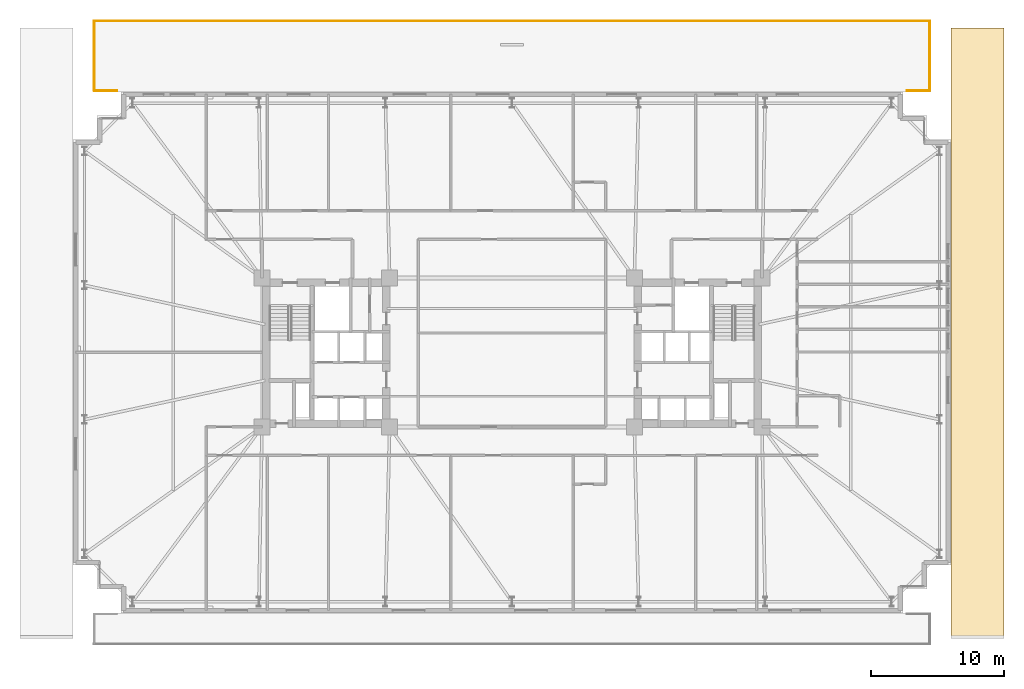
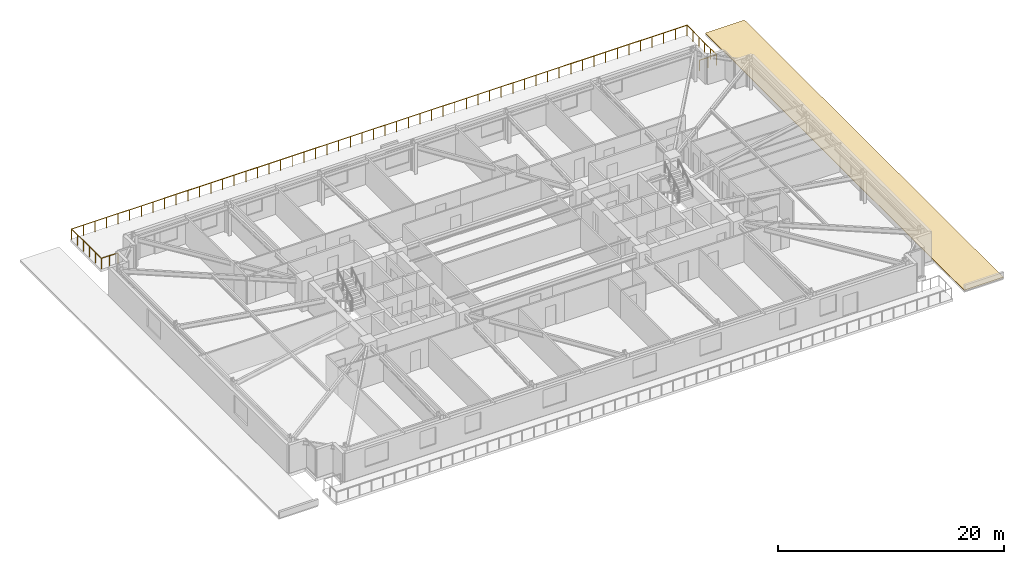
# One storey, part 21 of 21: 2 railings, 1 covering.
"""IFC4 building model written with IfcOpenShell, lengths in metres."""

from ifc_helpers import new_model, si_unit, direction, frame, origin, origin_2d, place, context, subcontext, project, spatial, polyline, circle, outline, extrude, material, layer, layer_set, type_object, element, save


model = new_model("IFC4")

# Units and contexts
model_context = context("Model", 3, precision=1e-05, world=origin(), true_north=direction((0.0, 1.0)))
body_context = subcontext(model_context, "Body", "Model", "MODEL_VIEW")
ifc_project = project(units=[si_unit("LENGTHUNIT", "METRE"), si_unit("AREAUNIT", "SQUARE_METRE"), si_unit("VOLUMEUNIT", "CUBIC_METRE"), si_unit("PLANEANGLEUNIT", "RADIAN"), si_unit("MASSUNIT", "GRAM", prefix="KILO")], contexts=[model_context])

# Site, building, storey
site_placement = place(None, origin())
site = spatial("IfcSite", under=ifc_project, at=site_placement, CompositionType="ELEMENT")
building_placement = place(site_placement, origin())
building = spatial("IfcBuilding", under=site, at=building_placement, Name="Qobustan Lattice House", CompositionType="ELEMENT")
storey_placement = place(building_placement, frame((0.0, 0.0, 27.0)))
storey = spatial("IfcBuildingStorey", under=building, at=storey_placement, Name="L06", CompositionType="ELEMENT", Elevation=27.0)

# Covering
ifc_material_1 = material(Name="Insulated stone-ballasted roof membrane", Category="masonry")
ifc_layer = layer(ifc_material_1, 0.050048828125)
ifc_layer_set = layer_set([ifc_layer], Name="Insulated stone-ballasted roof membrane")
covering_type = type_object("IfcCoveringType", Name="COV-ROOF-MEMB", PredefinedType="ROOFING", material=ifc_layer_set)
covering_placement = place(storey_placement, origin())
element("IfcCovering", 1, at=covering_placement, inside=storey, type_object=covering_type, Name="L06 setback roof membrane 2", PredefinedType="ROOFING", context=body_context, shape_type="SweptSolid", body=[
    extrude(outline(polyline([(33.0, -21.39990234375), (37.0, -21.39990234375), (37.0, 24.39990234375), (33.0, 24.39990234375), (33.0, -21.39990234375)])), origin(), (0.0, 0.0, 1.0), 0.050048828125),
])

# Railings
ifc_material_2 = material(Name="Anodised bronze and laminated glass balustrade", Category="glass")
railing_type = type_object("IfcRailingType", Name="RAL-TERR-1150", PredefinedType="BALUSTRADE", material=ifc_material_2)
railing_1_placement = place(storey_placement, frame((-31.419921875, 19.679931640625, 0.0)))
element("IfcRailing", 2, at=railing_1_placement, inside=storey, type_object=railing_type, Name="L06 outdoor terrace balustrade 3", PredefinedType="BALUSTRADE", context=body_context, shape_type="SweptSolid", body=[
    extrude(circle(Radius=0.02392578125, at=origin_2d()), frame((0.0, 0.0, 1.1259765625), z_axis=(0.0, 1.0, 0.0), x_axis=(-1.0, 0.0, 0.0)), (0.0, 0.0, 1.0), 5.239990234375),
    extrude(circle(Radius=0.02392578125, at=origin_2d()), frame((0.0, 5.239990234375, 1.1259765625), z_axis=(1.0, 0.0, 0.0), x_axis=(0.0, 1.0, 0.0)), (0.0, 0.0, 1.0), 62.83984375),
    extrude(circle(Radius=0.02392578125, at=origin_2d()), frame((62.83984375, 5.239990234375, 1.1259765625), z_axis=(0.0, -1.0, 0.0), x_axis=(1.0, 0.0, 0.0)), (0.0, 0.0, 1.0), 5.239990234375),
    extrude(circle(Radius=0.02392578125, at=origin_2d()), frame((62.83984375, 0.0, 1.1259765625), z_axis=(-1.0, 0.0, 0.0), x_axis=(0.0, -1.0, 0.0)), (0.0, 0.0, 1.0), 1.719970703125),
    extrude(circle(Radius=0.02099609375, at=origin_2d()), origin(), (0.0, 0.0, 1.0), 1.101806640625),
    extrude(circle(Radius=0.02099609375, at=origin_2d()), frame((0.0, 1.048095703125, 0.0)), (0.0, 0.0, 1.0), 1.101806640625),
    extrude(circle(Radius=0.02099609375, at=origin_2d()), frame((0.0, 2.095947265625, 0.0)), (0.0, 0.0, 1.0), 1.101806640625),
    extrude(circle(Radius=0.02099609375, at=origin_2d()), frame((0.0, 3.14404296875, 0.0)), (0.0, 0.0, 1.0), 1.101806640625),
    extrude(circle(Radius=0.02099609375, at=origin_2d()), frame((0.0, 4.19189453125, 0.0)), (0.0, 0.0, 1.0), 1.101806640625),
    extrude(circle(Radius=0.02099609375, at=origin_2d()), frame((0.0, 5.239990234375, 0.0)), (0.0, 0.0, 1.0), 1.101806640625),
    extrude(circle(Radius=0.02099609375, at=origin_2d()), frame((1.185546875, 5.239990234375, 0.0)), (0.0, 0.0, 1.0), 1.101806640625),
    extrude(circle(Radius=0.02099609375, at=origin_2d()), frame((2.371337890625, 5.239990234375, 0.0)), (0.0, 0.0, 1.0), 1.101806640625),
    extrude(circle(Radius=0.02099609375, at=origin_2d()), frame((3.556884765625, 5.239990234375, 0.0)), (0.0, 0.0, 1.0), 1.101806640625),
    extrude(circle(Radius=0.02099609375, at=origin_2d()), frame((4.74267578125, 5.239990234375, 0.0)), (0.0, 0.0, 1.0), 1.101806640625),
    extrude(circle(Radius=0.02099609375, at=origin_2d()), frame((5.92822265625, 5.239990234375, 0.0)), (0.0, 0.0, 1.0), 1.101806640625),
    extrude(circle(Radius=0.02099609375, at=origin_2d()), frame((7.114013671875, 5.239990234375, 0.0)), (0.0, 0.0, 1.0), 1.101806640625),
    extrude(circle(Radius=0.02099609375, at=origin_2d()), frame((8.299560546875, 5.239990234375, 0.0)), (0.0, 0.0, 1.0), 1.101806640625),
    extrude(circle(Radius=0.02099609375, at=origin_2d()), frame((9.4853515625, 5.239990234375, 0.0)), (0.0, 0.0, 1.0), 1.101806640625),
    extrude(circle(Radius=0.02099609375, at=origin_2d()), frame((10.6708984375, 5.239990234375, 0.0)), (0.0, 0.0, 1.0), 1.101806640625),
    extrude(circle(Radius=0.02099609375, at=origin_2d()), frame((11.856689453125, 5.239990234375, 0.0)), (0.0, 0.0, 1.0), 1.101806640625),
    extrude(circle(Radius=0.02099609375, at=origin_2d()), frame((13.042236328125, 5.239990234375, 0.0)), (0.0, 0.0, 1.0), 1.101806640625),
    extrude(circle(Radius=0.02099609375, at=origin_2d()), frame((14.227783203125, 5.239990234375, 0.0)), (0.0, 0.0, 1.0), 1.101806640625),
    extrude(circle(Radius=0.02099609375, at=origin_2d()), frame((15.41357421875, 5.239990234375, 0.0)), (0.0, 0.0, 1.0), 1.101806640625),
    extrude(circle(Radius=0.02099609375, at=origin_2d()), frame((16.59912109375, 5.239990234375, 0.0)), (0.0, 0.0, 1.0), 1.101806640625),
    extrude(circle(Radius=0.02099609375, at=origin_2d()), frame((17.784912109375, 5.239990234375, 0.0)), (0.0, 0.0, 1.0), 1.101806640625),
    extrude(circle(Radius=0.02099609375, at=origin_2d()), frame((18.970458984375, 5.239990234375, 0.0)), (0.0, 0.0, 1.0), 1.101806640625),
    extrude(circle(Radius=0.02099609375, at=origin_2d()), frame((20.15625, 5.239990234375, 0.0)), (0.0, 0.0, 1.0), 1.101806640625),
    extrude(circle(Radius=0.02099609375, at=origin_2d()), frame((21.341796875, 5.239990234375, 0.0)), (0.0, 0.0, 1.0), 1.101806640625),
    extrude(circle(Radius=0.02099609375, at=origin_2d()), frame((22.527587890625, 5.239990234375, 0.0)), (0.0, 0.0, 1.0), 1.101806640625),
    extrude(circle(Radius=0.02099609375, at=origin_2d()), frame((23.713134765625, 5.239990234375, 0.0)), (0.0, 0.0, 1.0), 1.101806640625),
    extrude(circle(Radius=0.02099609375, at=origin_2d()), frame((24.89892578125, 5.239990234375, 0.0)), (0.0, 0.0, 1.0), 1.101806640625),
    extrude(circle(Radius=0.02099609375, at=origin_2d()), frame((26.08447265625, 5.239990234375, 0.0)), (0.0, 0.0, 1.0), 1.101806640625),
    extrude(circle(Radius=0.02099609375, at=origin_2d()), frame((27.27001953125, 5.239990234375, 0.0)), (0.0, 0.0, 1.0), 1.101806640625),
    extrude(circle(Radius=0.02099609375, at=origin_2d()), frame((28.455810546875, 5.239990234375, 0.0)), (0.0, 0.0, 1.0), 1.101806640625),
    extrude(circle(Radius=0.02099609375, at=origin_2d()), frame((29.641357421875, 5.239990234375, 0.0)), (0.0, 0.0, 1.0), 1.101806640625),
    extrude(circle(Radius=0.02099609375, at=origin_2d()), frame((30.8271484375, 5.239990234375, 0.0)), (0.0, 0.0, 1.0), 1.101806640625),
    extrude(circle(Radius=0.02099609375, at=origin_2d()), frame((32.0126953125, 5.239990234375, 0.0)), (0.0, 0.0, 1.0), 1.101806640625),
    extrude(circle(Radius=0.02099609375, at=origin_2d()), frame((33.198486328125, 5.239990234375, 0.0)), (0.0, 0.0, 1.0), 1.101806640625),
    extrude(circle(Radius=0.02099609375, at=origin_2d()), frame((34.384033203125, 5.239990234375, 0.0)), (0.0, 0.0, 1.0), 1.101806640625),
    extrude(circle(Radius=0.02099609375, at=origin_2d()), frame((35.56982421875, 5.239990234375, 0.0)), (0.0, 0.0, 1.0), 1.101806640625),
    extrude(circle(Radius=0.02099609375, at=origin_2d()), frame((36.75537109375, 5.239990234375, 0.0)), (0.0, 0.0, 1.0), 1.101806640625),
    extrude(circle(Radius=0.02099609375, at=origin_2d()), frame((37.94091796875, 5.239990234375, 0.0)), (0.0, 0.0, 1.0), 1.101806640625),
    extrude(circle(Radius=0.02099609375, at=origin_2d()), frame((39.126708984375, 5.239990234375, 0.0)), (0.0, 0.0, 1.0), 1.101806640625),
    extrude(circle(Radius=0.02099609375, at=origin_2d()), frame((40.312255859375, 5.239990234375, 0.0)), (0.0, 0.0, 1.0), 1.101806640625),
    extrude(circle(Radius=0.02099609375, at=origin_2d()), frame((41.498046875, 5.239990234375, 0.0)), (0.0, 0.0, 1.0), 1.101806640625),
    extrude(circle(Radius=0.02099609375, at=origin_2d()), frame((42.68359375, 5.239990234375, 0.0)), (0.0, 0.0, 1.0), 1.101806640625),
    extrude(circle(Radius=0.02099609375, at=origin_2d()), frame((43.869384765625, 5.239990234375, 0.0)), (0.0, 0.0, 1.0), 1.101806640625),
    extrude(circle(Radius=0.02099609375, at=origin_2d()), frame((45.054931640625, 5.239990234375, 0.0)), (0.0, 0.0, 1.0), 1.101806640625),
    extrude(circle(Radius=0.02099609375, at=origin_2d()), frame((46.24072265625, 5.239990234375, 0.0)), (0.0, 0.0, 1.0), 1.101806640625),
    extrude(circle(Radius=0.02099609375, at=origin_2d()), frame((47.42626953125, 5.239990234375, 0.0)), (0.0, 0.0, 1.0), 1.101806640625),
    extrude(circle(Radius=0.02099609375, at=origin_2d()), frame((48.612060546875, 5.239990234375, 0.0)), (0.0, 0.0, 1.0), 1.101806640625),
    extrude(circle(Radius=0.02099609375, at=origin_2d()), frame((49.797607421875, 5.239990234375, 0.0)), (0.0, 0.0, 1.0), 1.101806640625),
    extrude(circle(Radius=0.02099609375, at=origin_2d()), frame((50.983154296875, 5.239990234375, 0.0)), (0.0, 0.0, 1.0), 1.101806640625),
    extrude(circle(Radius=0.02099609375, at=origin_2d()), frame((52.1689453125, 5.239990234375, 0.0)), (0.0, 0.0, 1.0), 1.101806640625),
    extrude(circle(Radius=0.02099609375, at=origin_2d()), frame((53.3544921875, 5.239990234375, 0.0)), (0.0, 0.0, 1.0), 1.101806640625),
    extrude(circle(Radius=0.02099609375, at=origin_2d()), frame((54.540283203125, 5.239990234375, 0.0)), (0.0, 0.0, 1.0), 1.101806640625),
    extrude(circle(Radius=0.02099609375, at=origin_2d()), frame((55.725830078125, 5.239990234375, 0.0)), (0.0, 0.0, 1.0), 1.101806640625),
    extrude(circle(Radius=0.02099609375, at=origin_2d()), frame((56.91162109375, 5.239990234375, 0.0)), (0.0, 0.0, 1.0), 1.101806640625),
    extrude(circle(Radius=0.02099609375, at=origin_2d()), frame((58.09716796875, 5.239990234375, 0.0)), (0.0, 0.0, 1.0), 1.101806640625),
    extrude(circle(Radius=0.02099609375, at=origin_2d()), frame((59.282958984375, 5.239990234375, 0.0)), (0.0, 0.0, 1.0), 1.101806640625),
    extrude(circle(Radius=0.02099609375, at=origin_2d()), frame((60.468505859375, 5.239990234375, 0.0)), (0.0, 0.0, 1.0), 1.101806640625),
    extrude(circle(Radius=0.02099609375, at=origin_2d()), frame((61.654296875, 5.239990234375, 0.0)), (0.0, 0.0, 1.0), 1.101806640625),
    extrude(circle(Radius=0.02099609375, at=origin_2d()), frame((62.83984375, 5.239990234375, 0.0)), (0.0, 0.0, 1.0), 1.101806640625),
    extrude(circle(Radius=0.02099609375, at=origin_2d()), frame((62.83984375, 4.19189453125, 0.0)), (0.0, 0.0, 1.0), 1.101806640625),
    extrude(circle(Radius=0.02099609375, at=origin_2d()), frame((62.83984375, 3.14404296875, 0.0)), (0.0, 0.0, 1.0), 1.101806640625),
    extrude(circle(Radius=0.02099609375, at=origin_2d()), frame((62.83984375, 2.095947265625, 0.0)), (0.0, 0.0, 1.0), 1.101806640625),
    extrude(circle(Radius=0.02099609375, at=origin_2d()), frame((62.83984375, 1.048095703125, 0.0)), (0.0, 0.0, 1.0), 1.101806640625),
    extrude(circle(Radius=0.02099609375, at=origin_2d()), frame((62.83984375, 0.0, 0.0)), (0.0, 0.0, 1.0), 1.101806640625),
    extrude(circle(Radius=0.02099609375, at=origin_2d()), frame((61.97998046875, 0.0, 0.0)), (0.0, 0.0, 1.0), 1.101806640625),
    extrude(circle(Radius=0.02099609375, at=origin_2d()), frame((61.119873046875, 0.0, 0.0)), (0.0, 0.0, 1.0), 1.101806640625),
])
railing_2_placement = place(storey_placement, frame((-29.699951171875, 19.679931640625, 0.0)))
element("IfcRailing", 3, at=railing_2_placement, inside=storey, type_object=railing_type, Name="L06 outdoor terrace balustrade 4", PredefinedType="BALUSTRADE", context=body_context, shape_type="SweptSolid", body=[
    extrude(circle(Radius=0.02392578125, at=origin_2d()), frame((0.0, 0.0, 1.1259765625), z_axis=(-1.0, 0.0, 0.0), x_axis=(0.0, -1.0, 0.0)), (0.0, 0.0, 1.0), 1.719970703125),
    extrude(circle(Radius=0.02099609375, at=origin_2d()), origin(), (0.0, 0.0, 1.0), 1.101806640625),
    extrude(circle(Radius=0.02099609375, at=origin_2d()), frame((-0.85986328125, 0.0, 0.0)), (0.0, 0.0, 1.0), 1.101806640625),
    extrude(circle(Radius=0.02099609375, at=origin_2d()), frame((-1.719970703125, 0.0, 0.0)), (0.0, 0.0, 1.0), 1.101806640625),
])

save(model, "model.ifc")
